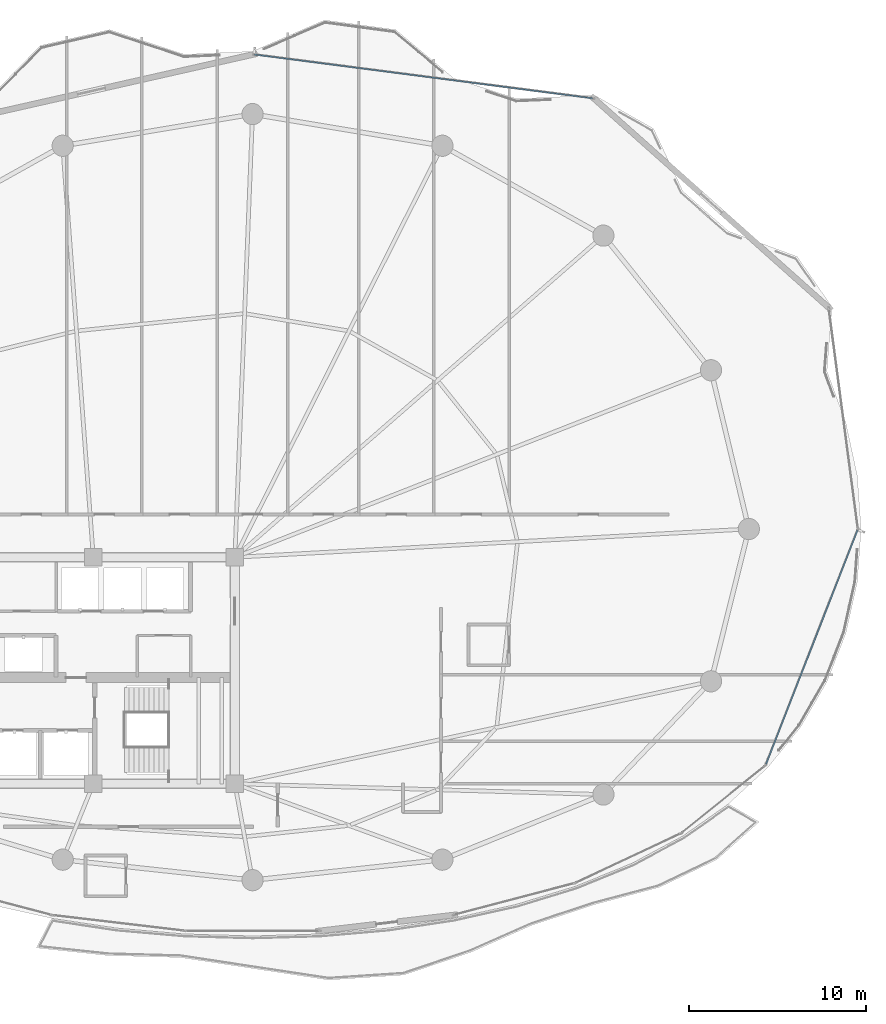
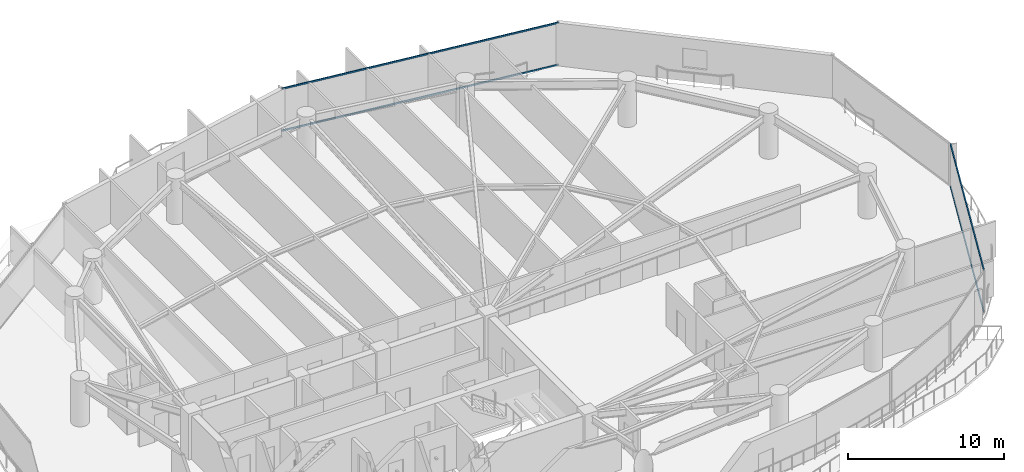
# One storey, part 23 of 33: 4 members, 2 elements without a shape of their own.
"""IFC4 building model written with IfcOpenShell, lengths in metres."""

from ifc_helpers import new_model, si_unit, direction, frame, origin, origin_2d, place, context, subcontext, project, spatial, hollow_rectangle, extrude, material, layer, layer_set, material_profile, profile_set, type_object, element, aggregate, save


model = new_model("IFC4")

# Units and contexts
model_context = context("Model", 3, precision=1e-05, world=origin(), true_north=direction((0.0, 1.0)))
body_context = subcontext(model_context, "Body", "Model", "MODEL_VIEW")
ifc_project = project(units=[si_unit("LENGTHUNIT", "METRE"), si_unit("AREAUNIT", "SQUARE_METRE"), si_unit("VOLUMEUNIT", "CUBIC_METRE"), si_unit("PLANEANGLEUNIT", "RADIAN"), si_unit("MASSUNIT", "GRAM", prefix="KILO")], contexts=[model_context])

# Site, building, storey
site_placement = place(None, origin())
site = spatial("IfcSite", under=ifc_project, at=site_placement, CompositionType="ELEMENT")
building_placement = place(site_placement, origin())
building = spatial("IfcBuilding", under=site, at=building_placement, Name="Kazevale Care Tower and Concert Hall", CompositionType="ELEMENT")
storey_placement = place(building_placement, frame((0.0, 0.0, 145.800048828125)))
storey = spatial("IfcBuildingStorey", under=building, at=storey_placement, Name="L38", CompositionType="ELEMENT", Elevation=145.800048828125)

# Curtain wall, members
ifc_material_1 = material(Name="Aluminium 6063-T6 and Low-E Glass", Category="aluminium")
ifc_layer_1 = layer(ifc_material_1, 0.179931640625)
ifc_layer_set_1 = layer_set([ifc_layer_1], Name="Aluminium 6063-T6 and Low-E Glass")
curtain_wall_type_1 = type_object("IfcCurtainWallType", Name="Convex Recessed Sunroom Curtain Wall CW-3", PredefinedType="NOTDEFINED", material=ifc_layer_set_1)
curtain_wall_1_placement = place(storey_placement, origin())
curtain_wall_1 = element("IfcCurtainWall", 1, at=curtain_wall_1_placement, inside=storey, type_object=curtain_wall_type_1, Name="cw:L38:f16", PredefinedType="NOTDEFINED")
ifc_material_2 = material(Name="Aluminium 6063-T6", Category="aluminium")
ifc_material_profile_1 = material_profile(ifc_material_2, hollow_rectangle(XDim=0.074951171875, YDim=0.1201171875, WallThickness=0.00390625, at=origin_2d()), Name="ALU75x120x4")
ifc_profile_set_1 = profile_set([ifc_material_profile_1], Name="Aluminium 6063-T6")
member_type_1 = type_object("IfcMemberType", Name="CW-3 Transom ALU75x120x4", PredefinedType="USERDEFINED", material=ifc_profile_set_1)
member_1_placement = place(storey_placement, frame((45.115478515625, 64.812255859375, 0.037353515625), z_axis=(0.991735891754, -0.128296223669, 0.0), x_axis=(0.128296223669, 0.991735891754, 0.0)))
member_1 = element("IfcMember", 2, at=member_1_placement, type_object=member_type_1, Name="CW-3 transom 1.1", ObjectType="TRANSOM", PredefinedType="USERDEFINED", context=body_context, shape_type="SweptSolid", body=[
    extrude(hollow_rectangle(XDim=0.074951171875, YDim=0.1201171875, WallThickness=0.00390625, at=origin_2d()), origin(), (0.0, 0.0, 1.0), 19.265380859375),
])
member_2_placement = place(storey_placement, frame((45.115478515625, 64.812255859375, 3.322509765625), z_axis=(0.991735891754, -0.128296223669, 0.0), x_axis=(0.128296223669, 0.991735891754, 0.0)))
member_2 = element("IfcMember", 3, at=member_2_placement, type_object=member_type_1, Name="CW-3 transom 1.2", ObjectType="TRANSOM", PredefinedType="USERDEFINED", context=body_context, shape_type="SweptSolid", body=[
    extrude(hollow_rectangle(XDim=0.074951171875, YDim=0.1201171875, WallThickness=0.00390625, at=origin_2d()), origin(), (0.0, 0.0, 1.0), 19.265380859375),
])
aggregate(curtain_wall_1, [member_1, member_2])

ifc_layer_2 = layer(ifc_material_1, 0.179931640625)
ifc_layer_set_2 = layer_set([ifc_layer_2], Name="Aluminium 6063-T6 and Low-E Glass")
curtain_wall_type_2 = type_object("IfcCurtainWallType", Name="Waist & Upper Residential Curtain Wall CW-4", PredefinedType="NOTDEFINED", material=ifc_layer_set_2)
curtain_wall_2_placement = place(storey_placement, origin())
curtain_wall_2 = element("IfcCurtainWall", 4, at=curtain_wall_2_placement, inside=storey, type_object=curtain_wall_type_2, Name="cw:L38:f01", PredefinedType="NOTDEFINED")
ifc_material_profile_2 = material_profile(ifc_material_2, hollow_rectangle(XDim=0.080078125, YDim=0.139892578125, WallThickness=0.00390625, at=origin_2d()), Name="ALU80x140x4")
ifc_profile_set_2 = profile_set([ifc_material_profile_2], Name="Aluminium 6063-T6")
member_type_2 = type_object("IfcMemberType", Name="CW-4 Transom ALU80x140x4", PredefinedType="USERDEFINED", material=ifc_profile_set_2)
member_3_placement = place(storey_placement, frame((79.19091796875, 37.925537109375, 0.0400390625), z_axis=(-0.364119027629, -0.931352421868, 0.0), x_axis=(0.931352421868, -0.364119027629, 0.0)))
member_3 = element("IfcMember", 5, at=member_3_placement, type_object=member_type_2, Name="CW-4 transom 1.1", ObjectType="TRANSOM", PredefinedType="USERDEFINED", context=body_context, shape_type="SweptSolid", body=[
    extrude(hollow_rectangle(XDim=0.080078125, YDim=0.139892578125, WallThickness=0.00390625, at=origin_2d()), origin(), (0.0, 0.0, 1.0), 14.18701171875),
])
member_4_placement = place(storey_placement, frame((79.19091796875, 37.925537109375, 3.320068359375), z_axis=(-0.364119027629, -0.931352421868, 0.0), x_axis=(0.931352421868, -0.364119027629, 0.0)))
member_4 = element("IfcMember", 6, at=member_4_placement, type_object=member_type_2, Name="CW-4 transom 1.2", ObjectType="TRANSOM", PredefinedType="USERDEFINED", context=body_context, shape_type="SweptSolid", body=[
    extrude(hollow_rectangle(XDim=0.080078125, YDim=0.139892578125, WallThickness=0.00390625, at=origin_2d()), origin(), (0.0, 0.0, 1.0), 14.18701171875),
])
aggregate(curtain_wall_2, [member_3, member_4])

save(model, "model.ifc")
